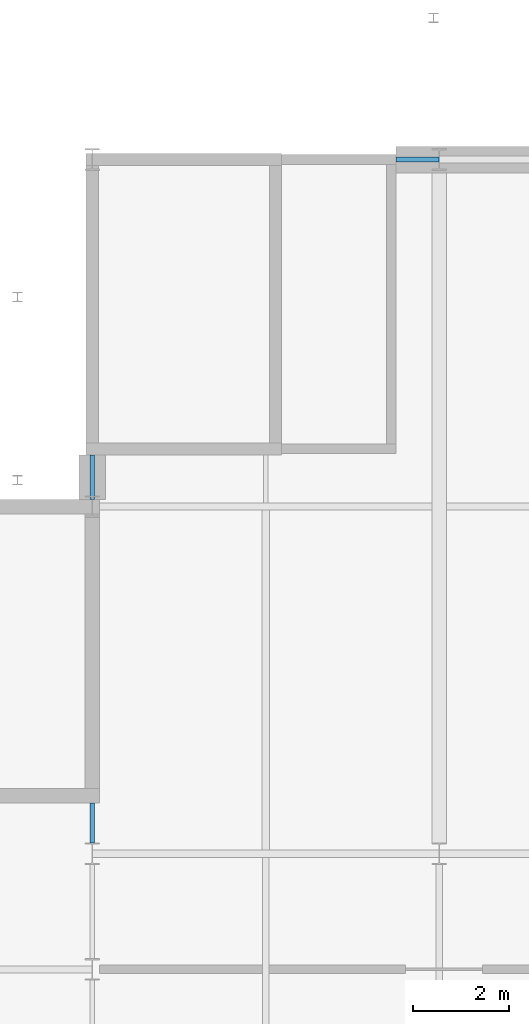
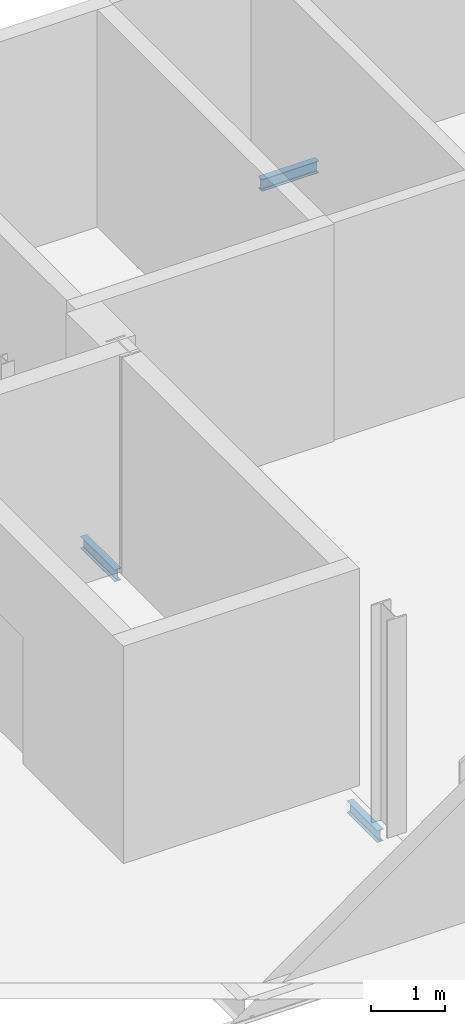
# One storey, part 41 of 90: 3 beams.
"""IFC4 building model written with IfcOpenShell, lengths in metres."""

from ifc_helpers import new_model, si_unit, direction, frame, origin, origin_2d, place, context, subcontext, project, spatial, i_section, extrude, material, material_profile, profile_set, type_object, element, save


model = new_model("IFC4")

# Units and contexts
model_context = context("Model", 3, precision=1e-05, world=origin(), true_north=direction((0.0, 1.0)))
body_context = subcontext(model_context, "Body", "Model", "MODEL_VIEW")
ifc_project = project(units=[si_unit("LENGTHUNIT", "METRE"), si_unit("AREAUNIT", "SQUARE_METRE"), si_unit("VOLUMEUNIT", "CUBIC_METRE"), si_unit("PLANEANGLEUNIT", "RADIAN"), si_unit("MASSUNIT", "GRAM", prefix="KILO")], contexts=[model_context])

# Site, building, storey
site_placement = place(None, origin())
site = spatial("IfcSite", under=ifc_project, at=site_placement, CompositionType="ELEMENT")
building_placement = place(site_placement, origin())
building = spatial("IfcBuilding", under=site, at=building_placement, Name="Kupolbacken Congress Centre", CompositionType="ELEMENT")
storey_placement = place(building_placement, frame((0.0, 0.0, 3.60009765625)))
storey = spatial("IfcBuildingStorey", under=building, at=storey_placement, Name="L01", CompositionType="ELEMENT", Elevation=3.60009765625)

# Beams
ifc_material = material(Name="Steel S355", Category="steel")
ifc_material_profile = material_profile(ifc_material, i_section(OverallWidth=0.10009765625, OverallDepth=0.199951171875, WebThickness=0.005615234375, FlangeThickness=0.008544921875, FilletRadius=0.011962890625, at=origin_2d()), Name="IPE 200")
ifc_profile_set = profile_set([ifc_material_profile], Name="Steel S355")
beam_type = type_object("IfcBeamType", Name="B01 beam IPE 200", PredefinedType="BEAM", material=ifc_profile_set)
beam_1_placement = place(storey_placement, frame((136.800048828125, 137.02490234375, -0.280029296875), z_axis=(0.0, 1.0, 0.0), x_axis=(-1.0, 0.0, 0.0)))
element("IfcBeam", 1, at=beam_1_placement, inside=storey, type_object=beam_type, Name="S/floor/T/L01/S079", PredefinedType="BEAM", context=body_context, shape_type="SweptSolid", body=[
    extrude(i_section(OverallWidth=0.10009765625, OverallDepth=0.199951171875, WebThickness=0.005615234375, FlangeThickness=0.008544921875, FilletRadius=0.011962890625, at=origin_2d()), origin(), (0.0, 0.0, 1.0), 0.8251953125),
])
beam_2_placement = place(storey_placement, frame((136.800048828125, 144.14990234375, -0.280029296875), z_axis=(0.0, 1.0, 0.0), x_axis=(-1.0, 0.0, 0.0)))
element("IfcBeam", 2, at=beam_2_placement, inside=storey, type_object=beam_type, Name="S/floor/BF/L01/G001", PredefinedType="BEAM", context=body_context, shape_type="SweptSolid", body=[
    extrude(i_section(OverallWidth=0.10009765625, OverallDepth=0.199951171875, WebThickness=0.005615234375, FlangeThickness=0.008544921875, FilletRadius=0.011962890625, at=origin_2d()), origin(), (0.0, 0.0, 1.0), 0.925048828125),
])
beam_3_placement = place(storey_placement, frame((143.10009765625, 151.199951171875, -0.280029296875), z_axis=(1.0, 0.0, 0.0), x_axis=(0.0, 1.0, 0.0)))
element("IfcBeam", 3, at=beam_3_placement, inside=storey, type_object=beam_type, Name="S/floor/BF/L01/R014", PredefinedType="BEAM", context=body_context, shape_type="SweptSolid", body=[
    extrude(i_section(OverallWidth=0.10009765625, OverallDepth=0.199951171875, WebThickness=0.005615234375, FlangeThickness=0.008544921875, FilletRadius=0.011962890625, at=origin_2d()), origin(), (0.0, 0.0, 1.0), 0.892822265625),
])

save(model, "model.ifc")
